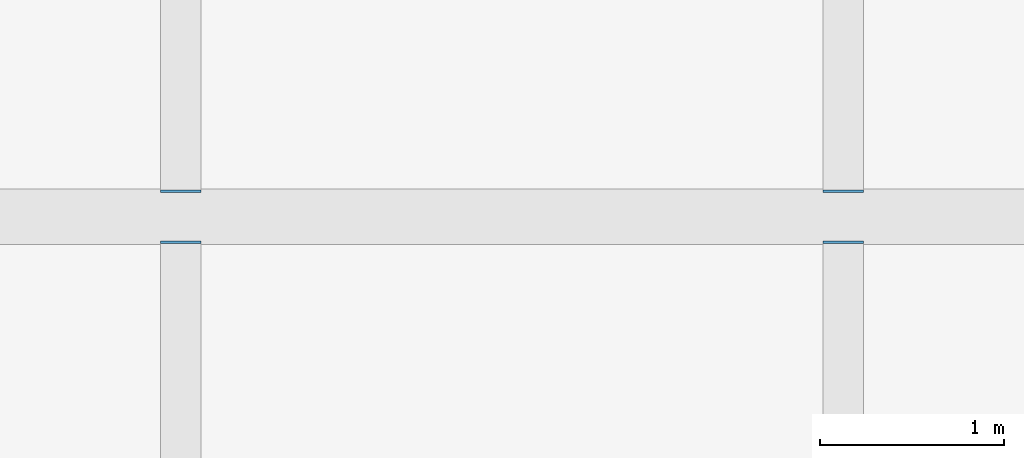
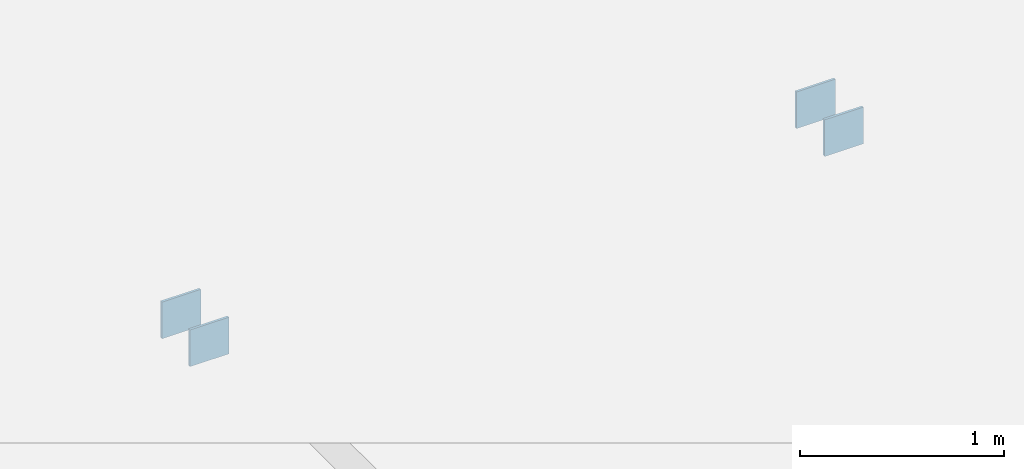
# One storey, part 70 of 92: 4 plates.
"""IFC4 building model written with IfcOpenShell, lengths in metres."""

from ifc_helpers import new_model, si_unit, direction, frame, origin, origin_2d, place, context, subcontext, project, spatial, rectangle, extrude, material, layer, layer_set, type_object, element, save


model = new_model("IFC4")

# Units and contexts
model_context = context("Model", 3, precision=1e-05, world=origin(), true_north=direction((0.0, 1.0)))
body_context = subcontext(model_context, "Body", "Model", "MODEL_VIEW")
ifc_project = project(units=[si_unit("LENGTHUNIT", "METRE"), si_unit("AREAUNIT", "SQUARE_METRE"), si_unit("VOLUMEUNIT", "CUBIC_METRE"), si_unit("PLANEANGLEUNIT", "RADIAN"), si_unit("MASSUNIT", "GRAM", prefix="KILO")], contexts=[model_context])

# Site, building, storey
site_placement = place(None, origin())
site = spatial("IfcSite", under=ifc_project, at=site_placement, CompositionType="ELEMENT")
building_placement = place(site_placement, origin())
building = spatial("IfcBuilding", under=site, at=building_placement, Name="Tasgan Crest Museum", CompositionType="ELEMENT")
storey_placement = place(building_placement, frame((0.0, 0.0, 4.800048828125)))
storey = spatial("IfcBuildingStorey", under=building, at=storey_placement, Name="L01", CompositionType="ELEMENT", Elevation=4.800048828125)

# Plates
ifc_material = material(Name="Steel S355K2", Category="steel")
ifc_layer = layer(ifc_material, 0.219970703125, Name="PL-CAP-14x220x220")
ifc_layer_set = layer_set([ifc_layer], Name="Steel S355K2")
plate_type = type_object("IfcPlateType", Name="PL-CAP-14x220x220", PredefinedType="USERDEFINED", material=ifc_layer_set)
for number, where, z_axis, x_axis, name in (
    (1, (57.60009765625, 71.862060546875, -0.4599609375), (0.0, 0.0, 1.0), (0.0, 1.0, 0.0), "End plate Secondary joist L01 X=57.6 Y=62.0-72.0 end B"),
    (2, (61.199951171875, 71.862060546875, -0.4599609375), (0.0, 0.0, 1.0), (0.0, 1.0, 0.0), "End plate Secondary joist L01 X=61.2 Y=62.0-72.0 end B"),
    (3, (57.60009765625, 72.137939453125, -0.4599609375), (0.0, 0.0, 1.0), (0.0, 1.0, 0.0), "End plate Secondary joist L01 X=57.6 Y=72.0-82.0 end A"),
    (4, (61.199951171875, 72.137939453125, -0.4599609375), (0.0, 0.0, 1.0), (0.0, 1.0, 0.0), "End plate Secondary joist L01 X=61.2 Y=72.0-82.0 end A"),
):
    element("IfcPlate", number, at=place(storey_placement, frame(where, z_axis=z_axis, x_axis=x_axis)), inside=storey, type_object=plate_type, Name=name, ObjectType="END PLATE", PredefinedType="USERDEFINED", context=body_context, shape_type="SweptSolid", body=[
        extrude(rectangle(XDim=0.013916015625, YDim=0.219970703125, at=origin_2d()), origin(), (0.0, 0.0, 1.0), 0.219970703125),
    ])

save(model, "model.ifc")
